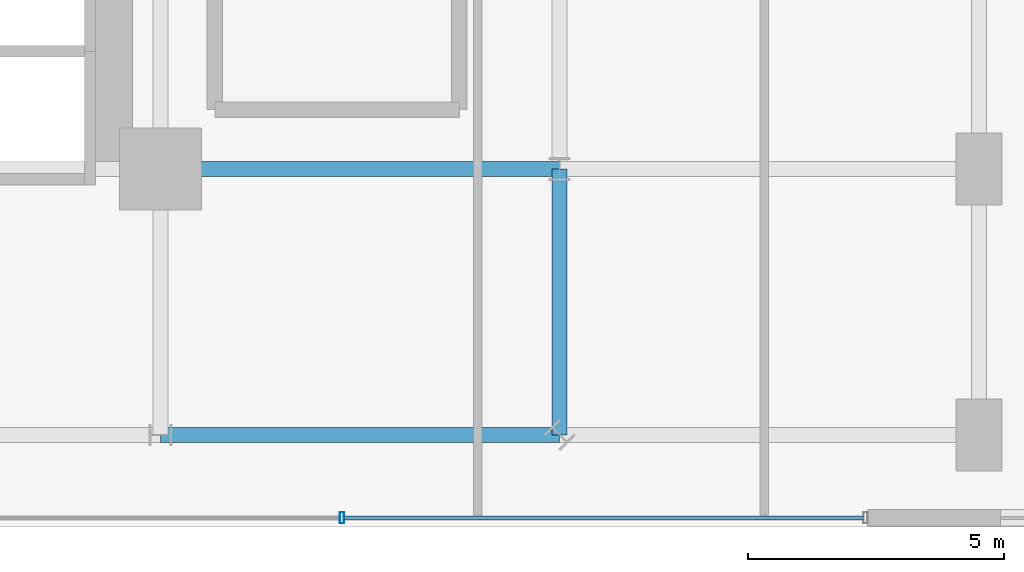
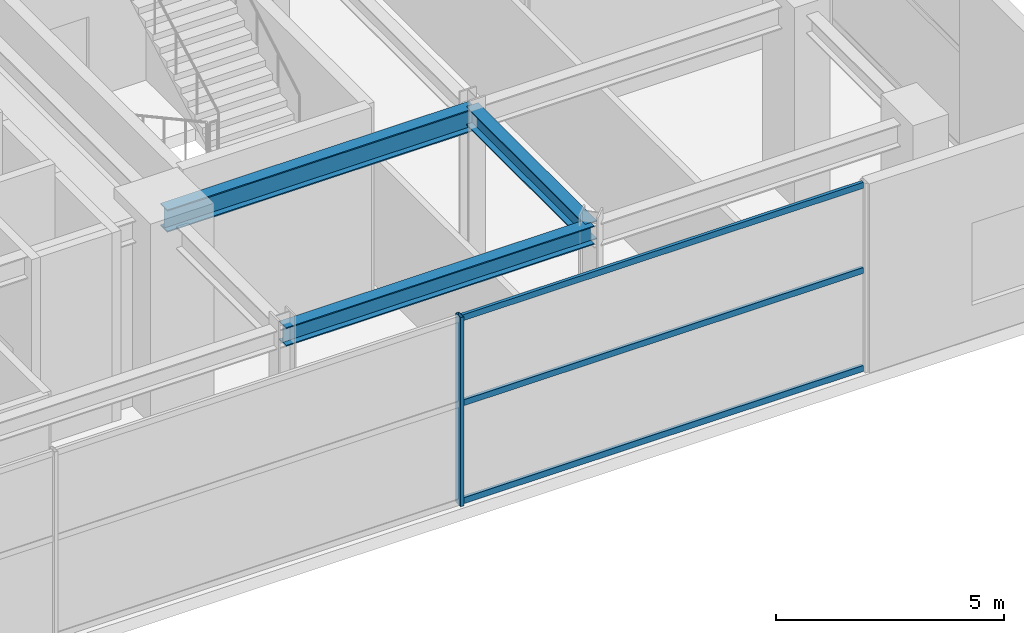
# One storey, part 12 of 32: 4 members, 3 beams, 1 element without a shape of its own.
"""IFC4 building model written with IfcOpenShell, lengths in metres."""

from ifc_helpers import new_model, si_unit, direction, frame, origin, origin_2d, place, context, subcontext, project, spatial, hollow_rectangle, i_section, extrude, source, transform, mapped, material, material_profile, profile_set, type_object, element, aggregate, save


model = new_model("IFC4")

# Units and contexts
model_context = context("Model", 3, precision=1e-05, world=origin(), true_north=direction((0.0, 1.0)))
body_context = subcontext(model_context, "Body", "Model", "MODEL_VIEW")
ifc_project = project(units=[si_unit("LENGTHUNIT", "METRE"), si_unit("AREAUNIT", "SQUARE_METRE"), si_unit("VOLUMEUNIT", "CUBIC_METRE"), si_unit("PLANEANGLEUNIT", "RADIAN"), si_unit("MASSUNIT", "GRAM", prefix="KILO")], contexts=[model_context])

# Site, building, storey
site_placement = place(None, origin())
site = spatial("IfcSite", under=ifc_project, at=site_placement, CompositionType="ELEMENT")
building_placement = place(site_placement, origin())
building = spatial("IfcBuilding", under=site, at=building_placement, Name="Nahalor Promenade Grand Hotel", CompositionType="ELEMENT")
storey_placement = place(building_placement, frame((0.0, 0.0, 10.800048828125)))
storey = spatial("IfcBuildingStorey", under=building, at=storey_placement, Name="L02", CompositionType="ELEMENT", Elevation=10.800048828125)

# Beams
ifc_material_1 = material(Name="Steel S355JR", Category="steel")
ifc_material_profile_1 = material_profile(ifc_material_1, i_section(OverallWidth=0.3, OverallDepth=0.6, WebThickness=0.0155, FlangeThickness=0.03, at=origin_2d()), Name="HEB 600")
ifc_profile_set_1 = profile_set([ifc_material_profile_1], Name="Steel S355JR")
beam_type_1 = type_object("IfcBeamType", Name="Beam-Girder-HEB600", PredefinedType="BEAM", material=ifc_profile_set_1)
shared_shape_1 = source(origin(), body_context, "Body", "SweptSolid", [
    extrude(i_section(OverallWidth=0.3, OverallDepth=0.6, WebThickness=0.0155, FlangeThickness=0.03, at=origin_2d()), origin(), (0.0, 0.0, 1.0), 7.800048828125),
])
beam_1_placement = place(storey_placement, frame((17.0, -17.0, 4.760009765625), z_axis=(1.0, 0.0, 0.0), x_axis=(0.0, 1.0, 0.0)))
element("IfcBeam", 1, at=beam_1_placement, inside=storey, type_object=beam_type_1, Name="BM-L02-GX-0-7", PredefinedType="BEAM", context=body_context, shape_type="MappedRepresentation", body=[
    mapped(shared_shape_1, transform((0.0, 0.0, 0.0), scale=1.0)),
])
ifc_material_profile_2 = material_profile(ifc_material_1, i_section(OverallWidth=0.3, OverallDepth=0.5, WebThickness=0.0145, FlangeThickness=0.028, at=origin_2d()), Name="HEB 500")
ifc_profile_set_2 = profile_set([ifc_material_profile_2], Name="Steel S355JR")
beam_type_2 = type_object("IfcBeamType", Name="Beam-Spandrel-HEB500", PredefinedType="SPANDREL", material=ifc_profile_set_2)
shared_shape_2 = source(origin(), body_context, "Body", "SweptSolid", [
    extrude(i_section(OverallWidth=0.3, OverallDepth=0.5, WebThickness=0.0145, FlangeThickness=0.028, at=origin_2d()), origin(), (0.0, 0.0, 1.0), 7.800048828125),
])
beam_2_placement = place(storey_placement, frame((17.0, -22.199951171875, 4.81005859375), z_axis=(1.0, 0.0, 0.0), x_axis=(0.0, 1.0, 0.0)))
element("IfcBeam", 2, at=beam_2_placement, inside=storey, type_object=beam_type_2, Name="BM-L02-SPC-SE-1", PredefinedType="SPANDREL", context=body_context, shape_type="MappedRepresentation", body=[
    mapped(shared_shape_2, transform((0.0, 0.0, 0.0), scale=1.0)),
])
shared_shape_3 = source(origin(), body_context, "Body", "SweptSolid", [
    extrude(i_section(OverallWidth=0.3, OverallDepth=0.5, WebThickness=0.0145, FlangeThickness=0.028, at=origin_2d()), origin(), (0.0, 0.0, 1.0), 5.199951171875),
])
beam_3_placement = place(storey_placement, frame((24.800048828125, -22.199951171875, 4.81005859375), z_axis=(0.0, 1.0, 0.0), x_axis=(-1.0, 0.0, 0.0)))
element("IfcBeam", 3, at=beam_3_placement, inside=storey, type_object=beam_type_2, Name="BM-L02-SPC-SE-2", PredefinedType="SPANDREL", context=body_context, shape_type="MappedRepresentation", body=[
    mapped(shared_shape_3, transform((0.0, 0.0, 0.0), scale=1.0)),
])

# Curtain wall, members
ifc_material_2 = material(Name="Anodised Bronze Aluminium EN AW-6063 T6", Category="aluminium")
curtain_wall_type = type_object("IfcCurtainWallType", Name="CW1 Waterfront Podium Bronze Arcade Curtain Wall", PredefinedType="USERDEFINED", material=ifc_material_2)
curtain_wall_placement = place(storey_placement, origin())
curtain_wall = element("IfcCurtainWall", 4, at=curtain_wall_placement, inside=storey, type_object=curtain_wall_type, Name="L02 Curtain Wall CW-L02-S", ObjectType="UNITISED_CURTAIN_WALL", PredefinedType="USERDEFINED")
ifc_material_profile_3 = material_profile(ifc_material_2, hollow_rectangle(XDim=0.08, YDim=0.22, WallThickness=0.005, at=origin_2d()), Name="CWM 80x220x5")
ifc_profile_set_3 = profile_set([ifc_material_profile_3], Name="Anodised Bronze Aluminium EN AW-6063 T6")
member_type_1 = type_object("IfcMemberType", Name="CWM1 Podium Bronze Mullion 80x220", PredefinedType="MULLION", material=ifc_profile_set_3)
shared_shape_4 = source(origin(), body_context, "Body", "SweptSolid", [
    extrude(hollow_rectangle(XDim=0.08, YDim=0.22, WallThickness=0.005, at=origin_2d()), origin(), (0.0, 0.0, 1.0), 5.06005859375),
])
member_1_placement = place(storey_placement, frame((20.546630859375, -23.820068359375, 0.0), z_axis=(0.0, 0.0, 1.0), x_axis=(1.0, 0.0, 0.0)))
member_1 = element("IfcMember", 5, at=member_1_placement, type_object=member_type_1, Name="CW-L02-S Mullion 5", PredefinedType="MULLION", context=body_context, shape_type="MappedRepresentation", body=[
    mapped(shared_shape_4, transform((0.0, 0.0, 0.0), scale=1.0)),
])
ifc_material_profile_4 = material_profile(ifc_material_2, hollow_rectangle(XDim=0.08, YDim=0.16, WallThickness=0.004, at=origin_2d()), Name="CWT 80x160x4")
ifc_profile_set_4 = profile_set([ifc_material_profile_4], Name="Anodised Bronze Aluminium EN AW-6063 T6")
member_type_2 = type_object("IfcMemberType", Name="CWT1 Podium Bronze Transom 80x160", PredefinedType="USERDEFINED", material=ifc_profile_set_4)
shared_shape_5 = source(origin(), body_context, "Body", "SweptSolid", [
    extrude(hollow_rectangle(XDim=0.08, YDim=0.16, WallThickness=0.004, at=origin_2d()), origin(), (0.0, 0.0, 1.0), 10.1533203125),
])
member_2_placement = place(storey_placement, frame((20.586669921875, -23.820068359375, 0.079833984375), z_axis=(1.0, 0.0, 0.0), x_axis=(0.0, 1.0, 0.0)))
member_2 = element("IfcMember", 6, at=member_2_placement, type_object=member_type_2, Name="CW-L02-S Transom 5-0", ObjectType="TRANSOM", PredefinedType="USERDEFINED", context=body_context, shape_type="MappedRepresentation", body=[
    mapped(shared_shape_5, transform((0.0, 0.0, 0.0), scale=1.0)),
])
member_3_placement = place(storey_placement, frame((20.586669921875, -23.820068359375, 2.699951171875), z_axis=(1.0, 0.0, 0.0), x_axis=(0.0, 1.0, 0.0)))
member_3 = element("IfcMember", 7, at=member_3_placement, type_object=member_type_2, Name="CW-L02-S Transom 5-1", ObjectType="TRANSOM", PredefinedType="USERDEFINED", context=body_context, shape_type="MappedRepresentation", body=[
    mapped(shared_shape_5, transform((0.0, 0.0, 0.0), scale=1.0)),
])
member_4_placement = place(storey_placement, frame((20.586669921875, -23.820068359375, 4.97998046875), z_axis=(1.0, 0.0, 0.0), x_axis=(0.0, 1.0, 0.0)))
member_4 = element("IfcMember", 8, at=member_4_placement, type_object=member_type_2, Name="CW-L02-S Transom 5-2", ObjectType="TRANSOM", PredefinedType="USERDEFINED", context=body_context, shape_type="MappedRepresentation", body=[
    mapped(shared_shape_5, transform((0.0, 0.0, 0.0), scale=1.0)),
])
aggregate(curtain_wall, [member_1, member_2, member_3, member_4])

save(model, "model.ifc")
